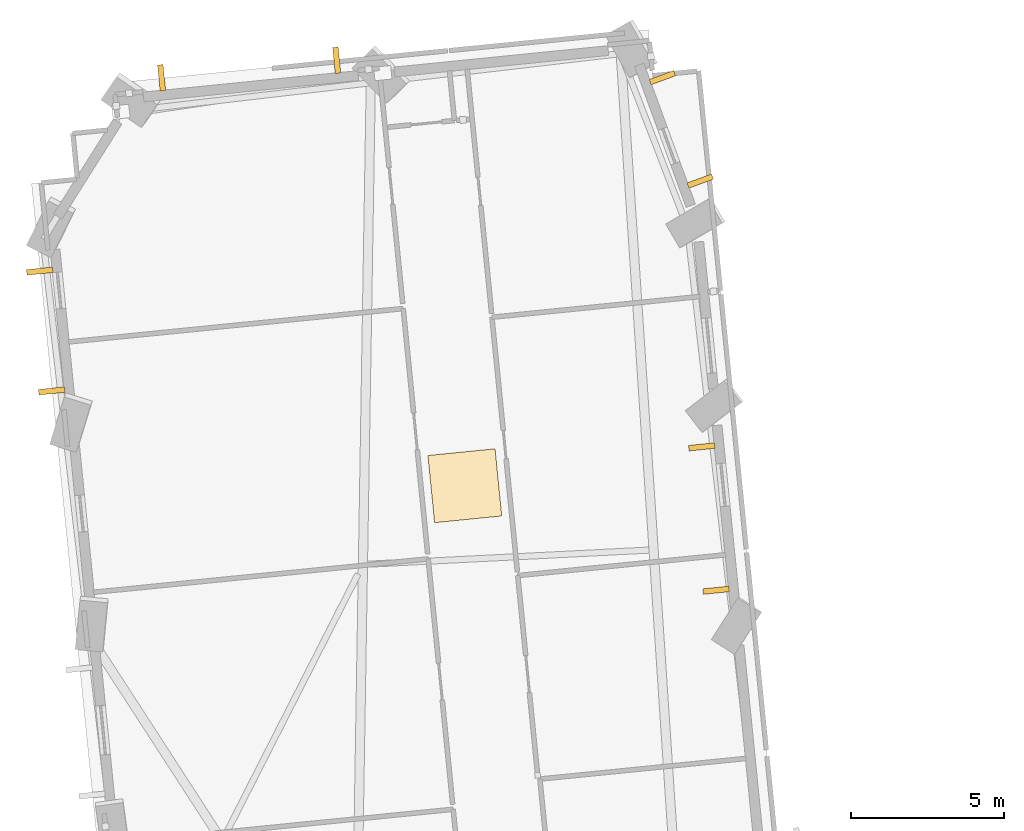
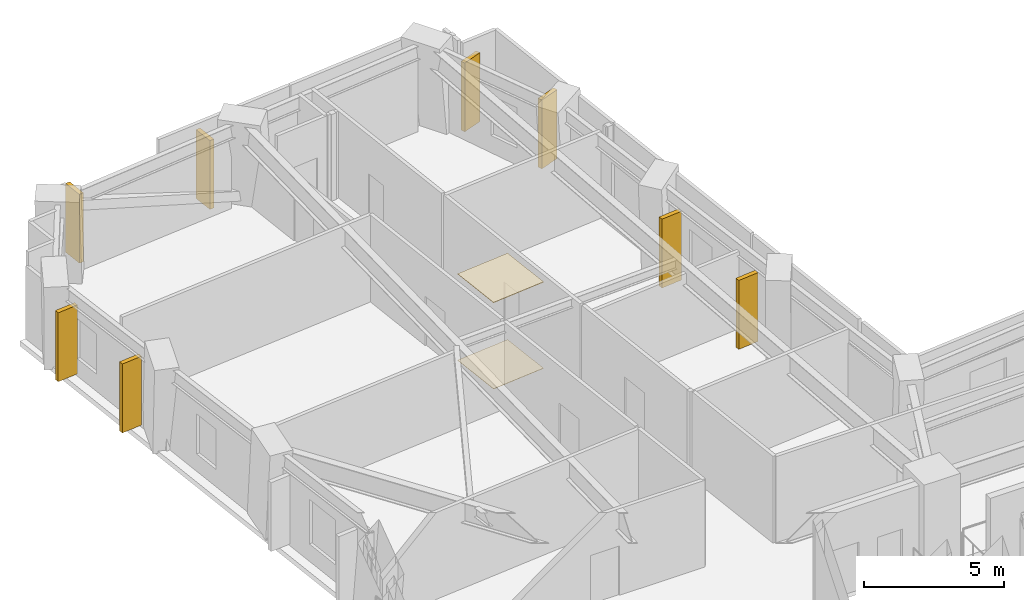
# One storey, part 16 of 16: 8 shading devices, 2 coverings.
"""IFC4 building model written with IfcOpenShell, lengths in metres."""

from ifc_helpers import new_model, si_unit, direction, frame, origin, origin_2d, place, context, subcontext, project, spatial, rectangle, extrude, material, layer, layer_set, type_object, element, save


model = new_model("IFC4")

# Units and contexts
model_context = context("Model", 3, precision=1e-05, world=origin(), true_north=direction((0.0, 1.0)))
body_context = subcontext(model_context, "Body", "Model", "MODEL_VIEW")
ifc_project = project(units=[si_unit("LENGTHUNIT", "METRE"), si_unit("AREAUNIT", "SQUARE_METRE"), si_unit("VOLUMEUNIT", "CUBIC_METRE"), si_unit("PLANEANGLEUNIT", "RADIAN"), si_unit("MASSUNIT", "GRAM", prefix="KILO")], contexts=[model_context])

# Site, building, storey
site_placement = place(None, origin())
site = spatial("IfcSite", under=ifc_project, at=site_placement, CompositionType="ELEMENT")
building_placement = place(site_placement, origin())
building = spatial("IfcBuilding", under=site, at=building_placement, Name="Gaonmaruhae Medical Tower", CompositionType="ELEMENT")
storey_placement = place(building_placement, frame((0.0, 0.0, 47.0)))
storey = spatial("IfcBuildingStorey", under=building, at=storey_placement, Name="L10", CompositionType="ELEMENT", Elevation=47.0)

# Coverings
ifc_material_1 = material(Name="Acoustic mineral ceiling tile", Category="finish")
ifc_layer_1 = layer(ifc_material_1, 0.02490234375)
ifc_layer_set_1 = layer_set([ifc_layer_1], Name="Acoustic mineral ceiling tile")
covering_type_1 = type_object("IfcCoveringType", Name="CLG-01 Antimicrobial Acoustic Mineral Ceiling", PredefinedType="CEILING", material=ifc_layer_set_1)
covering_1_placement = place(storey_placement, frame((17.576416015625, 35.06298828125, 3.755126953125), z_axis=(0.0, 0.0, 1.0), x_axis=(0.995055569961, 0.099319749744, 0.0)))
element("IfcCovering", 1, at=covering_1_placement, inside=storey, type_object=covering_type_1, Name="L10 Clinical Corridor Acoustic Ceiling", PredefinedType="CEILING", context=body_context, shape_type="SweptSolid", body=[
    extrude(rectangle(XDim=2.199951171875, YDim=2.199951171875, at=origin_2d()), origin(), (0.0, 0.0, 1.0), 0.02490234375),
])
ifc_material_2 = material(Name="Seamless clinical vinyl flooring", Category="finish")
ifc_layer_2 = layer(ifc_material_2, 0.014892578125)
ifc_layer_set_2 = layer_set([ifc_layer_2], Name="Seamless clinical vinyl flooring")
covering_type_2 = type_object("IfcCoveringType", Name="FLR-01 Seamless Clinical Antistatic Vinyl Flooring", PredefinedType="FLOORING", material=ifc_layer_set_2)
covering_2_placement = place(storey_placement, frame((17.576416015625, 35.06298828125, 0.00048828125), z_axis=(0.0, 0.0, 1.0), x_axis=(0.995055569961, 0.099319749744, 0.0)))
element("IfcCovering", 2, at=covering_2_placement, inside=storey, type_object=covering_type_2, Name="L10 Clinical Corridor Vinyl Flooring", PredefinedType="FLOORING", context=body_context, shape_type="SweptSolid", body=[
    extrude(rectangle(XDim=2.199951171875, YDim=2.199951171875, at=origin_2d()), origin(), (0.0, 0.0, 1.0), 0.014892578125),
])

# Shading devices
ifc_material_3 = material(Name="Pigmented coral precast concrete C45/55", Category="concrete")
shading_device_type = type_object("IfcShadingDeviceType", Name="SD-FIN1 Tower Vertical Coral Precast Shading Fin", PredefinedType="USERDEFINED", material=ifc_material_3)
for number, where, z_axis, x_axis, name in (
    (3, (25.76513671875, 31.656494140625, 0.08251953125), (0.0, 0.0, 1.0), (-0.099302382733, 0.995057303266, 0.0), "L10 Vertical Coral Precast Shading Fin NE01"),
    (4, (25.298828125, 36.329833984375, 0.08251953125), (0.0, 0.0, 1.0), (-0.099302382733, 0.995057303266, 0.0), "L10 Vertical Coral Precast Shading Fin NE01B"),
    (5, (24.01513671875, 48.363037109375, 0.08251953125), (0.0, 0.0, 1.0), (0.343348260249, -0.939208162328, 0.0), "L10 Vertical Coral Precast Shading Fin NE03"),
    (6, (25.24755859375, 44.9921875, 0.08251953125), (0.0, 0.0, 1.0), (0.343348260249, -0.939208162328, 0.0), "L10 Vertical Coral Precast Shading Fin NE03B"),
    (7, (7.6953125, 48.358642578125, 0.08251953125), (0.0, 0.0, 1.0), (0.995057303266, 0.099302382733, 0.0), "L10 Vertical Coral Precast Shading Fin N02"),
    (8, (13.401611328125, 48.92822265625, 0.08251953125), (0.0, 0.0, 1.0), (0.995057303266, 0.099302382733, 0.0), "L10 Vertical Coral Precast Shading Fin N02B"),
    (9, (4.11279296875, 38.15380859375, 0.08251953125), (0.0, 0.0, 1.0), (-0.099337116724, 0.995053836353, 0.0), "L10 Vertical Coral Precast Shading Fin W01"),
    (10, (3.723388671875, 42.0576171875, 0.08251953125), (0.0, 0.0, 1.0), (-0.099337116724, 0.995053836353, 0.0), "L10 Vertical Coral Precast Shading Fin W01B"),
):
    element("IfcShadingDevice", number, at=place(storey_placement, frame(where, z_axis=z_axis, x_axis=x_axis)), inside=storey, type_object=shading_device_type, Name=name, ObjectType="FIN", PredefinedType="USERDEFINED", context=body_context, shape_type="SweptSolid", body=[
        extrude(rectangle(XDim=0.179931640625, YDim=0.85009765625, at=origin_2d()), origin(), (0.0, 0.0, 1.0), 3.0),
    ])

save(model, "model.ifc")
